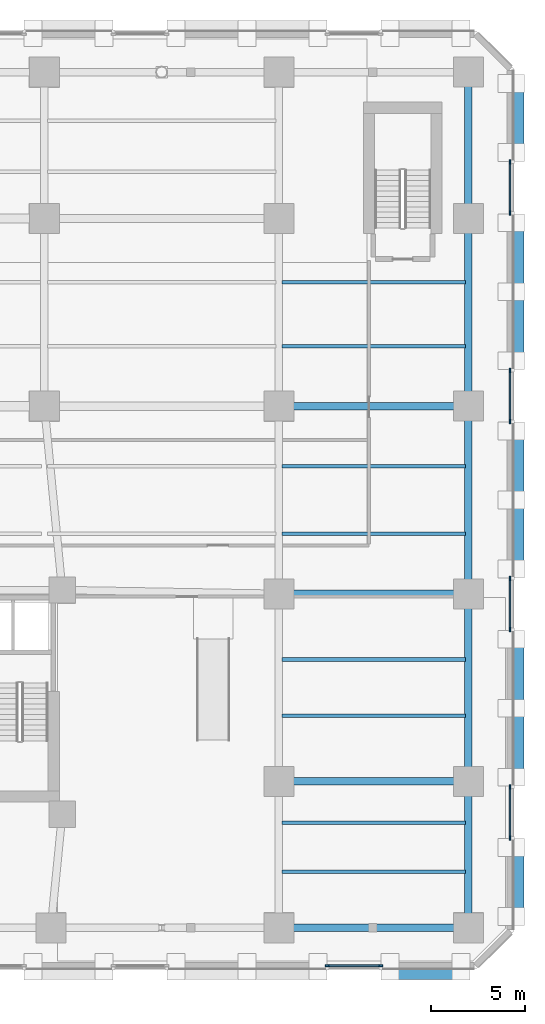
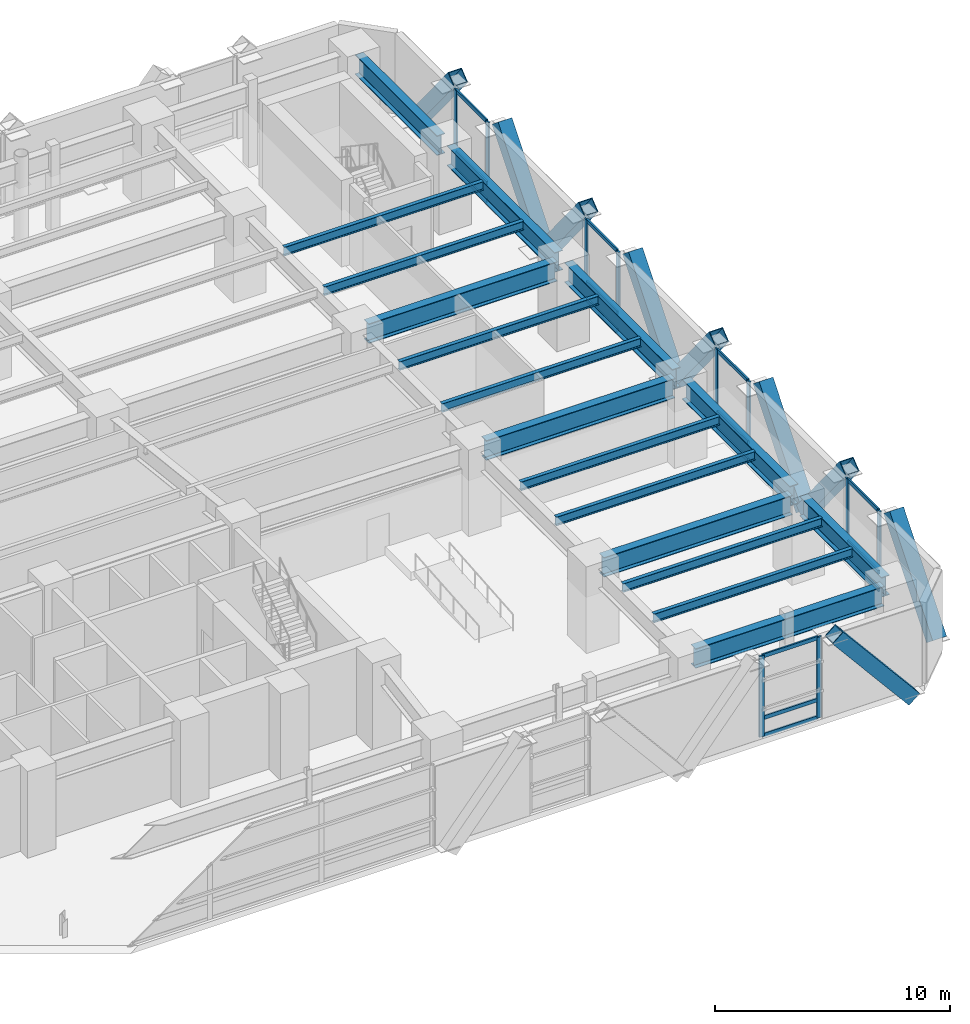
# One storey, part 10 of 26: 34 members, 17 beams, 5 elements without a shape of their own.
"""IFC4 building model written with IfcOpenShell, lengths in metres."""

import ifcopenshell
import ifcopenshell.guid

model = None  # the IFC model being written
_history = None  # IfcOwnerHistory: only IFC2X3 demands one
_inside = {}  # id of a spatial element -> (the spatial element, [elements in it])
_under = {}  # id of a project, library or spatial element -> (it, [spatial elements below it])
_declared = {}  # id of a project -> (the project, [libraries it declares])
_typed = {}  # id of a type object -> (the type object, [elements of that type])
_made_of = {}  # id of a material, layer set ... -> (it, [elements and type objects made of it])


def new_model(schema):
    """Start an empty IFC model of exactly this schema.

    Asked for "IFC4X3", IfcOpenShell would pick the latest addendum, in which some entities
    have other attributes; the version numbers below select the first issue.
    IFC2X3 requires an IfcOwnerHistory on every rooted entity: one is made here for all.
    """
    global model, _history
    if schema == "IFC4X3":
        model = ifcopenshell.file(schema_version=(4, 3, 0, 0))
    else:
        model = ifcopenshell.file(schema=schema)
    _inside.clear()
    _under.clear()
    _declared.clear()
    _typed.clear()
    _made_of.clear()
    _history = None
    if model.schema == "IFC2X3":
        org = make("IfcOrganization", Name="unknown")
        user = make(
            "IfcPersonAndOrganization",
            ThePerson=make("IfcPerson", FamilyName="unknown"),
            TheOrganization=org,
        )
        app = make(
            "IfcApplication",
            ApplicationDeveloper=org,
            Version="unknown",
            ApplicationFullName="unknown",
            ApplicationIdentifier="unknown",
        )
        _history = make(
            "IfcOwnerHistory",
            OwningUser=user,
            OwningApplication=app,
            ChangeAction="ADDED",
            CreationDate=0,
        )
    return model


def make(cls, **values):
    """One entity of the class cls with the attributes given. An attribute that is None is left unset."""
    return model.create_entity(
        cls, **{name: value for name, value in values.items() if value is not None}
    )


def rooted(cls, **values):
    """An entity with a GlobalId (a new one), such as an element, a storey or a relation."""
    return make(cls, GlobalId=ifcopenshell.guid.new(), OwnerHistory=_history, **values)


def si_unit(unit_type, name, prefix=None):
    """IfcSIUnit, for example si_unit("LENGTHUNIT", "METRE", prefix="MILLI")."""
    return make("IfcSIUnit", UnitType=unit_type, Prefix=prefix, Name=name)


def assignment(units):
    """IfcUnitAssignment: the units of a project."""
    return None if units is None else make("IfcUnitAssignment", Units=units)


def point(xyz):
    """IfcCartesianPoint."""
    return None if xyz is None else make("IfcCartesianPoint", Coordinates=xyz)


def direction(xyz):
    """IfcDirection."""
    return None if xyz is None else make("IfcDirection", DirectionRatios=xyz)


def frame(location, z_axis=None, x_axis=None):
    """IfcAxis2Placement3D, a coordinate frame: its origin and axes. An axis left out is left unset."""
    return make(
        "IfcAxis2Placement3D",
        Location=point(location),
        Axis=direction(z_axis),
        RefDirection=direction(x_axis),
    )


def frame_2d(location, x_axis=None):
    """IfcAxis2Placement2D, a coordinate frame in the plane: its origin and x axis."""
    return make(
        "IfcAxis2Placement2D", Location=point(location), RefDirection=direction(x_axis)
    )


def origin():
    """The frame at (0, 0, 0) with its axes left unset."""
    return frame((0.0, 0.0, 0.0))


def origin_2d():
    """The frame at (0, 0) in the plane with its x axis left unset."""
    return frame_2d((0.0, 0.0))


def place(relative_to, where):
    """IfcLocalPlacement: puts the frame where relative to a parent placement (None: the world)."""
    return make(
        "IfcLocalPlacement", PlacementRelTo=relative_to, RelativePlacement=where
    )


def context(
    kind, dimensions, precision=None, world=None, true_north=None, identifier=None
):
    """IfcGeometricRepresentationContext, for example the 3D "Model" context."""
    return make(
        "IfcGeometricRepresentationContext",
        ContextIdentifier=identifier,
        ContextType=kind,
        CoordinateSpaceDimension=dimensions,
        Precision=precision,
        WorldCoordinateSystem=world,
        TrueNorth=true_north,
    )


def subcontext(parent, identifier, kind, view, scale=None):
    """IfcGeometricRepresentationSubContext, for example "Body" below "Model"."""
    return make(
        "IfcGeometricRepresentationSubContext",
        ContextIdentifier=identifier,
        ContextType=kind,
        ParentContext=parent,
        TargetScale=scale,
        TargetView=view,
    )


def project(units=None, contexts=None):
    """IfcProject with its units and contexts."""
    return rooted(
        "IfcProject",
        Name="project",
        RepresentationContexts=contexts,
        UnitsInContext=assignment(units),
    )


def spatial(cls, under=None, at=None, **own):
    """A site, building, storey or space (cls), placed at a placement, below another one or the project."""
    s = rooted(cls, ObjectPlacement=at, **own)
    if under is not None:
        _under.setdefault(under.id(), (under, []))[1].append(s)
    return s


def profile(cls, at=None, kind="AREA", **sizes):
    """A parametric profile (cls). Its sizes go by their IFC names, for example OverallWidth=200.0."""
    return make(cls, ProfileType=kind, Position=at, **sizes)


def rectangle(**sizes):
    """IfcRectangleProfileDef."""
    return profile("IfcRectangleProfileDef", **sizes)


def hollow_rectangle(**sizes):
    """IfcRectangleHollowProfileDef."""
    return profile("IfcRectangleHollowProfileDef", **sizes)


def i_section(**sizes):
    """IfcIShapeProfileDef."""
    return profile("IfcIShapeProfileDef", **sizes)


def extrude(swept, where, along, depth):
    """IfcExtrudedAreaSolid: the profile swept, set in the frame where, extruded along a direction by depth."""
    return make(
        "IfcExtrudedAreaSolid",
        SweptArea=swept,
        Position=where,
        ExtrudedDirection=direction(along),
        Depth=depth,
    )


def shape(context_of_items, identifier, shape_type, items):
    """IfcShapeRepresentation: the items that make up one representation, for example the "Body"."""
    return make(
        "IfcShapeRepresentation",
        ContextOfItems=context_of_items,
        RepresentationIdentifier=identifier,
        RepresentationType=shape_type,
        Items=items,
    )


def material(Name=None, Category=None):
    """IfcMaterial."""
    return make("IfcMaterial", Name=Name, Category=Category)


def material_profile(
    of_material, cross_section, Name=None, Category=None, Priority=None
):
    """IfcMaterialProfile: a cross section and its material."""
    return make(
        "IfcMaterialProfile",
        Name=Name,
        Material=of_material,
        Profile=cross_section,
        Priority=Priority,
        Category=Category,
    )


def profile_set(profiles, Name=None, composite=None):
    """IfcMaterialProfileSet."""
    return make(
        "IfcMaterialProfileSet",
        Name=Name,
        MaterialProfiles=profiles,
        CompositeProfile=composite,
    )


def made_of(thing, what):
    """Note that an element or type object is made of a material, layer set ...; save() writes the relation."""
    if what is not None:
        _made_of.setdefault(what.id(), (what, []))[1].append(thing)
    return thing


def type_object(cls, material=None, **own):
    """A type object (cls), such as IfcWallType, which elements share."""
    return made_of(rooted(cls, **own), material)


def element(
    cls,
    number,
    at=None,
    inside=None,
    cuts=None,
    type_object=None,
    material=None,
    context=None,
    identifier="Body",
    shape_type=None,
    held_by="IfcProductDefinitionShape",
    body=None,
    shapes=None,
    **own,
):
    """One element of the class cls, such as IfcWall. Its Tag is "e" and its number.

    at: its placement. inside: the storey or other place that contains it. cuts: it is an
    opening in that element (IfcRelVoidsElement). A single representation is given by context,
    identifier, shape_type and body (its items); several are given by shapes. held_by: the class
    of the entity that holds the representations. save() writes the other relations.
    """
    e = rooted(cls, Tag="e%d" % number, ObjectPlacement=at, **own)
    if body is not None:
        shapes = [shape(context, identifier, shape_type, body)]
    if shapes is not None:
        e.Representation = make(held_by, Representations=shapes)
    if inside is not None:
        _inside.setdefault(inside.id(), (inside, []))[1].append(e)
    if cuts is not None:
        rooted(
            "IfcRelVoidsElement", RelatingBuildingElement=cuts, RelatedOpeningElement=e
        )
    if type_object is not None:
        _typed.setdefault(type_object.id(), (type_object, []))[1].append(e)
    return made_of(e, material)


def aggregate(whole, parts):
    """IfcRelAggregates: a whole, such as a stair, and the parts it consists of."""
    return rooted("IfcRelAggregates", RelatingObject=whole, RelatedObjects=parts)


def save(model, path):
    """Write the relations noted so far, then the file.

    IfcRelAggregates (storeys below a building ...), IfcRelContainedInSpatialStructure (elements
    in a storey), IfcRelDefinesByType, IfcRelAssociatesMaterial and IfcRelDeclares: one each for
    every whole, place, type object, material and project.
    """
    for whole, parts in _under.values():
        aggregate(whole, parts)
    for where, things in _inside.values():
        rooted(
            "IfcRelContainedInSpatialStructure",
            RelatedElements=things,
            RelatingStructure=where,
        )
    for kind, things in _typed.values():
        rooted("IfcRelDefinesByType", RelatedObjects=things, RelatingType=kind)
    for what, things in _made_of.values():
        rooted("IfcRelAssociatesMaterial", RelatedObjects=things, RelatingMaterial=what)
    for by, libraries in _declared.values():
        rooted("IfcRelDeclares", RelatingContext=by, RelatedDefinitions=libraries)
    model.write(path)


model = new_model("IFC4")

# Units and contexts
model_context = context("Model", 3, precision=1e-05, world=origin(), true_north=direction((0.0, 1.0)))
body_context = subcontext(model_context, "Body", "Model", "MODEL_VIEW")
ifc_project = project(units=[si_unit("LENGTHUNIT", "METRE"), si_unit("AREAUNIT", "SQUARE_METRE"), si_unit("VOLUMEUNIT", "CUBIC_METRE"), si_unit("PLANEANGLEUNIT", "RADIAN"), si_unit("MASSUNIT", "GRAM", prefix="KILO")], contexts=[model_context])

# Site, building, storey
site_placement = place(None, origin())
site = spatial("IfcSite", under=ifc_project, at=site_placement, CompositionType="ELEMENT")
building_placement = place(site_placement, origin())
building = spatial("IfcBuilding", under=site, at=building_placement, Name="Quenlor Broadcast Tower", CompositionType="ELEMENT")
storey_placement = place(building_placement, frame((0.0, 0.0, 5.0)))
storey = spatial("IfcBuildingStorey", under=building, at=storey_placement, Name="L01", CompositionType="ELEMENT", Elevation=5.0)

# Curtain wall, members
ifc_material_1 = material(Name="Architectural Terracotta and Low-E Glazing", Category="masonry")
curtain_wall_type = type_object("IfcCurtainWallType", Name="Station Concourse and Crown Terracotta Curtain Wall", PredefinedType="NOTDEFINED", material=ifc_material_1)
curtain_wall_1_placement = place(storey_placement, origin())
curtain_wall_1 = element("IfcCurtainWall", 1, at=curtain_wall_1_placement, inside=storey, type_object=curtain_wall_type, Name="L01 Curtain Wall CW6 (L01-S-FULL-G1)", PredefinedType="NOTDEFINED")
ifc_material_2 = material(Name="Aluminium 6063-T6", Category="aluminium")
ifc_material_profile_1 = material_profile(ifc_material_2, rectangle(XDim=0.08203125, YDim=0.239990234375, at=origin_2d()))
ifc_profile_set_1 = profile_set([ifc_material_profile_1], Name="Aluminium 6063-T6 MULL82x240")
member_type_1 = type_object("IfcMemberType", Name="CW6 Aluminium Mullion MULL_CW6", PredefinedType="MULLION", material=ifc_profile_set_1)
member_1_placement = place(storey_placement, frame((29.909423828125, -24.820068359375, 0.0), z_axis=(0.0, 0.0, 1.0), x_axis=(0.0, -1.0, 0.0)))
member_1 = element("IfcMember", 2, at=member_1_placement, type_object=member_type_1, Name="CW6 mullion 1", PredefinedType="MULLION", context=body_context, shape_type="SweptSolid", body=[
    extrude(rectangle(XDim=0.08203125, YDim=0.239990234375, at=origin_2d()), origin(), (0.0, 0.0, 1.0), 4.199951171875),
])
member_2_placement = place(storey_placement, frame((27.090576171875, -24.820068359375, 0.0), z_axis=(0.0, 0.0, 1.0), x_axis=(0.0, -1.0, 0.0)))
member_2 = element("IfcMember", 3, at=member_2_placement, type_object=member_type_1, Name="CW6 mullion 2", PredefinedType="MULLION", context=body_context, shape_type="SweptSolid", body=[
    extrude(rectangle(XDim=0.08203125, YDim=0.239990234375, at=origin_2d()), origin(), (0.0, 0.0, 1.0), 4.199951171875),
])

curtain_wall_2_placement = place(storey_placement, origin())
curtain_wall_2 = element("IfcCurtainWall", 4, at=curtain_wall_2_placement, inside=storey, type_object=curtain_wall_type, Name="L01 Curtain Wall CW6 (L01-E-FULL-G1)", PredefinedType="NOTDEFINED")
member_3_placement = place(storey_placement, frame((36.820068359375, 18.00634765625, 0.0), z_axis=(0.0, 0.0, 1.0), x_axis=(1.0, 0.0, 0.0)))
member_3 = element("IfcMember", 5, at=member_3_placement, type_object=member_type_1, Name="CW6 mullion 1", PredefinedType="MULLION", context=body_context, shape_type="SweptSolid", body=[
    extrude(rectangle(XDim=0.08203125, YDim=0.239990234375, at=origin_2d()), origin(), (0.0, 0.0, 1.0), 4.199951171875),
])
member_4_placement = place(storey_placement, frame((36.820068359375, 15.293701171875, 0.0), z_axis=(0.0, 0.0, 1.0), x_axis=(1.0, 0.0, 0.0)))
member_4 = element("IfcMember", 6, at=member_4_placement, type_object=member_type_1, Name="CW6 mullion 2", PredefinedType="MULLION", context=body_context, shape_type="SweptSolid", body=[
    extrude(rectangle(XDim=0.08203125, YDim=0.239990234375, at=origin_2d()), origin(), (0.0, 0.0, 1.0), 4.199951171875),
])

curtain_wall_3_placement = place(storey_placement, origin())
curtain_wall_3 = element("IfcCurtainWall", 7, at=curtain_wall_3_placement, inside=storey, type_object=curtain_wall_type, Name="L01 Curtain Wall CW6 (L01-E-FULL-G2)", PredefinedType="NOTDEFINED")
member_5_placement = place(storey_placement, frame((36.820068359375, 6.90625, 0.0), z_axis=(0.0, 0.0, 1.0), x_axis=(1.0, 0.0, 0.0)))
member_5 = element("IfcMember", 8, at=member_5_placement, type_object=member_type_1, Name="CW6 mullion 1", PredefinedType="MULLION", context=body_context, shape_type="SweptSolid", body=[
    extrude(rectangle(XDim=0.08203125, YDim=0.239990234375, at=origin_2d()), origin(), (0.0, 0.0, 1.0), 4.199951171875),
])
member_6_placement = place(storey_placement, frame((36.820068359375, 4.193603515625, 0.0), z_axis=(0.0, 0.0, 1.0), x_axis=(1.0, 0.0, 0.0)))
member_6 = element("IfcMember", 9, at=member_6_placement, type_object=member_type_1, Name="CW6 mullion 2", PredefinedType="MULLION", context=body_context, shape_type="SweptSolid", body=[
    extrude(rectangle(XDim=0.08203125, YDim=0.239990234375, at=origin_2d()), origin(), (0.0, 0.0, 1.0), 4.199951171875),
])

curtain_wall_4_placement = place(storey_placement, origin())
curtain_wall_4 = element("IfcCurtainWall", 10, at=curtain_wall_4_placement, inside=storey, type_object=curtain_wall_type, Name="L01 Curtain Wall CW6 (L01-E-FULL-G3)", PredefinedType="NOTDEFINED")
member_7_placement = place(storey_placement, frame((36.820068359375, -4.193603515625, 0.0), z_axis=(0.0, 0.0, 1.0), x_axis=(1.0, 0.0, 0.0)))
member_7 = element("IfcMember", 11, at=member_7_placement, type_object=member_type_1, Name="CW6 mullion 1", PredefinedType="MULLION", context=body_context, shape_type="SweptSolid", body=[
    extrude(rectangle(XDim=0.08203125, YDim=0.239990234375, at=origin_2d()), origin(), (0.0, 0.0, 1.0), 4.199951171875),
])
member_8_placement = place(storey_placement, frame((36.820068359375, -6.90625, 0.0), z_axis=(0.0, 0.0, 1.0), x_axis=(1.0, 0.0, 0.0)))
member_8 = element("IfcMember", 12, at=member_8_placement, type_object=member_type_1, Name="CW6 mullion 2", PredefinedType="MULLION", context=body_context, shape_type="SweptSolid", body=[
    extrude(rectangle(XDim=0.08203125, YDim=0.239990234375, at=origin_2d()), origin(), (0.0, 0.0, 1.0), 4.199951171875),
])

curtain_wall_5_placement = place(storey_placement, origin())
curtain_wall_5 = element("IfcCurtainWall", 13, at=curtain_wall_5_placement, inside=storey, type_object=curtain_wall_type, Name="L01 Curtain Wall CW6 (L01-E-FULL-G4)", PredefinedType="NOTDEFINED")
member_9_placement = place(storey_placement, frame((36.820068359375, -15.293701171875, 0.0), z_axis=(0.0, 0.0, 1.0), x_axis=(1.0, 0.0, 0.0)))
member_9 = element("IfcMember", 14, at=member_9_placement, type_object=member_type_1, Name="CW6 mullion 1", PredefinedType="MULLION", context=body_context, shape_type="SweptSolid", body=[
    extrude(rectangle(XDim=0.08203125, YDim=0.239990234375, at=origin_2d()), origin(), (0.0, 0.0, 1.0), 4.199951171875),
])
member_10_placement = place(storey_placement, frame((36.820068359375, -18.00634765625, 0.0), z_axis=(0.0, 0.0, 1.0), x_axis=(1.0, 0.0, 0.0)))
member_10 = element("IfcMember", 15, at=member_10_placement, type_object=member_type_1, Name="CW6 mullion 2", PredefinedType="MULLION", context=body_context, shape_type="SweptSolid", body=[
    extrude(rectangle(XDim=0.08203125, YDim=0.239990234375, at=origin_2d()), origin(), (0.0, 0.0, 1.0), 4.199951171875),
])

# Member
ifc_material_3 = material(Name="Aluminium 6063-T6", Category="aluminium")
ifc_material_profile_2 = material_profile(ifc_material_3, rectangle(XDim=0.08203125, YDim=0.195068359375, at=origin_2d()))
ifc_profile_set_2 = profile_set([ifc_material_profile_2], Name="Aluminium 6063-T6 TRAN82x195")
member_type_2 = type_object("IfcMemberType", Name="CW6 Aluminium Transom TRAN_CW6", PredefinedType="USERDEFINED", material=ifc_profile_set_2)
member_11_placement = place(storey_placement, frame((29.868408203125, -24.820068359375, 0.041015625), z_axis=(-1.0, 0.0, 0.0), x_axis=(0.0, -1.0, 0.0)))
member_11 = element("IfcMember", 16, at=member_11_placement, type_object=member_type_2, Name="CW6 transom 1.1", ObjectType="TRANSOM", PredefinedType="USERDEFINED", context=body_context, shape_type="SweptSolid", body=[
    extrude(rectangle(XDim=0.08203125, YDim=0.195068359375, at=origin_2d()), origin(), (0.0, 0.0, 1.0), 2.73681640625),
])

member_12_placement = place(storey_placement, frame((29.868408203125, -24.820068359375, 0.949951171875), z_axis=(-1.0, 0.0, 0.0), x_axis=(0.0, -1.0, 0.0)))
member_12 = element("IfcMember", 17, at=member_12_placement, type_object=member_type_2, Name="CW6 transom 1.2", ObjectType="TRANSOM", PredefinedType="USERDEFINED", context=body_context, shape_type="SweptSolid", body=[
    extrude(rectangle(XDim=0.08203125, YDim=0.195068359375, at=origin_2d()), origin(), (0.0, 0.0, 1.0), 2.73681640625),
])

member_13_placement = place(storey_placement, frame((29.868408203125, -24.820068359375, 4.158935546875), z_axis=(-1.0, 0.0, 0.0), x_axis=(0.0, -1.0, 0.0)))
member_13 = element("IfcMember", 18, at=member_13_placement, type_object=member_type_2, Name="CW6 transom 1.3", ObjectType="TRANSOM", PredefinedType="USERDEFINED", context=body_context, shape_type="SweptSolid", body=[
    extrude(rectangle(XDim=0.08203125, YDim=0.195068359375, at=origin_2d()), origin(), (0.0, 0.0, 1.0), 2.73681640625),
])

aggregate(curtain_wall_1, [member_1, member_2, member_11, member_12, member_13])

member_14_placement = place(storey_placement, frame((36.820068359375, 17.96533203125, 0.041015625), z_axis=(0.0, -1.0, 0.0), x_axis=(1.0, 0.0, 0.0)))
member_14 = element("IfcMember", 19, at=member_14_placement, type_object=member_type_2, Name="CW6 transom 1.1", ObjectType="TRANSOM", PredefinedType="USERDEFINED", context=body_context, shape_type="SweptSolid", body=[
    extrude(rectangle(XDim=0.08203125, YDim=0.195068359375, at=origin_2d()), origin(), (0.0, 0.0, 1.0), 2.630615234375),
])

member_15_placement = place(storey_placement, frame((36.820068359375, 17.96533203125, 0.949951171875), z_axis=(0.0, -1.0, 0.0), x_axis=(1.0, 0.0, 0.0)))
member_15 = element("IfcMember", 20, at=member_15_placement, type_object=member_type_2, Name="CW6 transom 1.2", ObjectType="TRANSOM", PredefinedType="USERDEFINED", context=body_context, shape_type="SweptSolid", body=[
    extrude(rectangle(XDim=0.08203125, YDim=0.195068359375, at=origin_2d()), origin(), (0.0, 0.0, 1.0), 2.630615234375),
])

member_16_placement = place(storey_placement, frame((36.820068359375, 17.96533203125, 4.158935546875), z_axis=(0.0, -1.0, 0.0), x_axis=(1.0, 0.0, 0.0)))
member_16 = element("IfcMember", 21, at=member_16_placement, type_object=member_type_2, Name="CW6 transom 1.3", ObjectType="TRANSOM", PredefinedType="USERDEFINED", context=body_context, shape_type="SweptSolid", body=[
    extrude(rectangle(XDim=0.08203125, YDim=0.195068359375, at=origin_2d()), origin(), (0.0, 0.0, 1.0), 2.630615234375),
])

aggregate(curtain_wall_2, [member_3, member_4, member_14, member_15, member_16])

member_17_placement = place(storey_placement, frame((36.820068359375, 6.865234375, 0.041015625), z_axis=(0.0, -1.0, 0.0), x_axis=(1.0, 0.0, 0.0)))
member_17 = element("IfcMember", 22, at=member_17_placement, type_object=member_type_2, Name="CW6 transom 1.1", ObjectType="TRANSOM", PredefinedType="USERDEFINED", context=body_context, shape_type="SweptSolid", body=[
    extrude(rectangle(XDim=0.08203125, YDim=0.195068359375, at=origin_2d()), origin(), (0.0, 0.0, 1.0), 2.630615234375),
])

member_18_placement = place(storey_placement, frame((36.820068359375, 6.865234375, 0.949951171875), z_axis=(0.0, -1.0, 0.0), x_axis=(1.0, 0.0, 0.0)))
member_18 = element("IfcMember", 23, at=member_18_placement, type_object=member_type_2, Name="CW6 transom 1.2", ObjectType="TRANSOM", PredefinedType="USERDEFINED", context=body_context, shape_type="SweptSolid", body=[
    extrude(rectangle(XDim=0.08203125, YDim=0.195068359375, at=origin_2d()), origin(), (0.0, 0.0, 1.0), 2.630615234375),
])

member_19_placement = place(storey_placement, frame((36.820068359375, 6.865234375, 4.158935546875), z_axis=(0.0, -1.0, 0.0), x_axis=(1.0, 0.0, 0.0)))
member_19 = element("IfcMember", 24, at=member_19_placement, type_object=member_type_2, Name="CW6 transom 1.3", ObjectType="TRANSOM", PredefinedType="USERDEFINED", context=body_context, shape_type="SweptSolid", body=[
    extrude(rectangle(XDim=0.08203125, YDim=0.195068359375, at=origin_2d()), origin(), (0.0, 0.0, 1.0), 2.630615234375),
])

aggregate(curtain_wall_3, [member_5, member_6, member_17, member_18, member_19])

member_20_placement = place(storey_placement, frame((36.820068359375, -4.234619140625, 0.041015625), z_axis=(0.0, -1.0, 0.0), x_axis=(1.0, 0.0, 0.0)))
member_20 = element("IfcMember", 25, at=member_20_placement, type_object=member_type_2, Name="CW6 transom 1.1", ObjectType="TRANSOM", PredefinedType="USERDEFINED", context=body_context, shape_type="SweptSolid", body=[
    extrude(rectangle(XDim=0.08203125, YDim=0.195068359375, at=origin_2d()), origin(), (0.0, 0.0, 1.0), 2.630615234375),
])

member_21_placement = place(storey_placement, frame((36.820068359375, -4.234619140625, 0.949951171875), z_axis=(0.0, -1.0, 0.0), x_axis=(1.0, 0.0, 0.0)))
member_21 = element("IfcMember", 26, at=member_21_placement, type_object=member_type_2, Name="CW6 transom 1.2", ObjectType="TRANSOM", PredefinedType="USERDEFINED", context=body_context, shape_type="SweptSolid", body=[
    extrude(rectangle(XDim=0.08203125, YDim=0.195068359375, at=origin_2d()), origin(), (0.0, 0.0, 1.0), 2.630615234375),
])

member_22_placement = place(storey_placement, frame((36.820068359375, -4.234619140625, 4.158935546875), z_axis=(0.0, -1.0, 0.0), x_axis=(1.0, 0.0, 0.0)))
member_22 = element("IfcMember", 27, at=member_22_placement, type_object=member_type_2, Name="CW6 transom 1.3", ObjectType="TRANSOM", PredefinedType="USERDEFINED", context=body_context, shape_type="SweptSolid", body=[
    extrude(rectangle(XDim=0.08203125, YDim=0.195068359375, at=origin_2d()), origin(), (0.0, 0.0, 1.0), 2.630615234375),
])

aggregate(curtain_wall_4, [member_7, member_8, member_20, member_21, member_22])

member_23_placement = place(storey_placement, frame((36.820068359375, -15.334716796875, 0.041015625), z_axis=(0.0, -1.0, 0.0), x_axis=(1.0, 0.0, 0.0)))
member_23 = element("IfcMember", 28, at=member_23_placement, type_object=member_type_2, Name="CW6 transom 1.1", ObjectType="TRANSOM", PredefinedType="USERDEFINED", context=body_context, shape_type="SweptSolid", body=[
    extrude(rectangle(XDim=0.08203125, YDim=0.195068359375, at=origin_2d()), origin(), (0.0, 0.0, 1.0), 2.630615234375),
])

member_24_placement = place(storey_placement, frame((36.820068359375, -15.334716796875, 0.949951171875), z_axis=(0.0, -1.0, 0.0), x_axis=(1.0, 0.0, 0.0)))
member_24 = element("IfcMember", 29, at=member_24_placement, type_object=member_type_2, Name="CW6 transom 1.2", ObjectType="TRANSOM", PredefinedType="USERDEFINED", context=body_context, shape_type="SweptSolid", body=[
    extrude(rectangle(XDim=0.08203125, YDim=0.195068359375, at=origin_2d()), origin(), (0.0, 0.0, 1.0), 2.630615234375),
])

member_25_placement = place(storey_placement, frame((36.820068359375, -15.334716796875, 4.158935546875), z_axis=(0.0, -1.0, 0.0), x_axis=(1.0, 0.0, 0.0)))
member_25 = element("IfcMember", 30, at=member_25_placement, type_object=member_type_2, Name="CW6 transom 1.3", ObjectType="TRANSOM", PredefinedType="USERDEFINED", context=body_context, shape_type="SweptSolid", body=[
    extrude(rectangle(XDim=0.08203125, YDim=0.195068359375, at=origin_2d()), origin(), (0.0, 0.0, 1.0), 2.630615234375),
])

aggregate(curtain_wall_5, [member_9, member_10, member_23, member_24, member_25])

# Members
ifc_material_4 = material(Name="Steel S355", Category="steel")
ifc_material_profile_3 = material_profile(ifc_material_4, hollow_rectangle(XDim=0.679931640625, YDim=0.679931640625, WallThickness=0.034912109375, at=origin_2d()))
ifc_profile_set_3 = profile_set([ifc_material_profile_3], Name="Steel S355 RHS680x680x35")
member_type_3 = type_object("IfcMemberType", Name="Perimeter Diagonal Lattice Brace Z1 Steel S355 RHS680x35", PredefinedType="BRACE", material=ifc_profile_set_3)
member_26_placement = place(storey_placement, frame((34.17724609375, -25.215087890625, -0.1201171875), z_axis=(-0.640626831312, 0.0, 0.767852370578), x_axis=(0.0, -1.0, 0.0)))
element("IfcMember", 31, at=member_26_placement, inside=storey, type_object=member_type_3, Name="L01 Podium Diamond Lattice S-P1S", PredefinedType="BRACE", context=body_context, shape_type="SweptSolid", body=[
    extrude(hollow_rectangle(XDim=0.679931640625, YDim=0.679931640625, WallThickness=0.034912109375, at=origin_2d()), origin(), (0.0, 0.0, 1.0), 5.860595703125),
])
for number, where, z_axis, x_axis, name in (
    (32, (37.215087890625, 22.177734375, -0.1201171875), (0.0, -0.630516526394, 0.776175824117), (1.0, 0.0, 0.0), "L01 Podium Diamond Lattice E-P1S"),
    (33, (37.215087890625, 11.122314453125, -0.1201171875), (0.0, 0.630516526394, 0.776175824117), (-1.0, 0.0, 0.0), "L01 Podium Diamond Lattice E-P1B"),
):
    element("IfcMember", number, at=place(storey_placement, frame(where, z_axis=z_axis, x_axis=x_axis)), inside=storey, type_object=member_type_3, Name=name, PredefinedType="BRACE", context=body_context, shape_type="SweptSolid", body=[
        extrude(hollow_rectangle(XDim=0.679931640625, YDim=0.679931640625, WallThickness=0.034912109375, at=origin_2d()), origin(), (0.0, 0.0, 1.0), 5.797607421875),
    ])
member_27_placement = place(storey_placement, frame((37.215087890625, 11.077880859375, -0.1201171875), z_axis=(0.0, -0.630541894648, 0.776155215851), x_axis=(1.0, 0.0, 0.0)))
element("IfcMember", 34, at=member_27_placement, inside=storey, type_object=member_type_3, Name="L01 Podium Diamond Lattice E-P2S", PredefinedType="BRACE", context=body_context, shape_type="SweptSolid", body=[
    extrude(hollow_rectangle(XDim=0.679931640625, YDim=0.679931640625, WallThickness=0.034912109375, at=origin_2d()), origin(), (0.0, 0.0, 1.0), 5.7978515625),
])
for number, where, z_axis, x_axis, name in (
    (35, (37.215087890625, 0.022216796875, -0.1201171875), (0.0, 0.630516526394, 0.776175824117), (-1.0, 0.0, 0.0), "L01 Podium Diamond Lattice E-P2B"),
    (36, (37.215087890625, -0.022216796875, -0.1201171875), (0.0, -0.630516526394, 0.776175824117), (1.0, 0.0, 0.0), "L01 Podium Diamond Lattice E-P3S"),
):
    element("IfcMember", number, at=place(storey_placement, frame(where, z_axis=z_axis, x_axis=x_axis)), inside=storey, type_object=member_type_3, Name=name, PredefinedType="BRACE", context=body_context, shape_type="SweptSolid", body=[
        extrude(hollow_rectangle(XDim=0.679931640625, YDim=0.679931640625, WallThickness=0.034912109375, at=origin_2d()), origin(), (0.0, 0.0, 1.0), 5.797607421875),
    ])
member_28_placement = place(storey_placement, frame((37.215087890625, -11.077880859375, -0.1201171875), z_axis=(0.0, 0.630541894648, 0.776155215851), x_axis=(-1.0, 0.0, 0.0)))
element("IfcMember", 37, at=member_28_placement, inside=storey, type_object=member_type_3, Name="L01 Podium Diamond Lattice E-P3B", PredefinedType="BRACE", context=body_context, shape_type="SweptSolid", body=[
    extrude(hollow_rectangle(XDim=0.679931640625, YDim=0.679931640625, WallThickness=0.034912109375, at=origin_2d()), origin(), (0.0, 0.0, 1.0), 5.7978515625),
])
for number, where, z_axis, x_axis, name in (
    (38, (37.215087890625, -11.122314453125, -0.1201171875), (0.0, -0.630516526394, 0.776175824117), (1.0, 0.0, 0.0), "L01 Podium Diamond Lattice E-P4S"),
    (39, (37.215087890625, -22.177734375, -0.1201171875), (0.0, 0.630516526394, 0.776175824117), (-1.0, 0.0, 0.0), "L01 Podium Diamond Lattice E-P4B"),
):
    element("IfcMember", number, at=place(storey_placement, frame(where, z_axis=z_axis, x_axis=x_axis)), inside=storey, type_object=member_type_3, Name=name, PredefinedType="BRACE", context=body_context, shape_type="SweptSolid", body=[
        extrude(hollow_rectangle(XDim=0.679931640625, YDim=0.679931640625, WallThickness=0.034912109375, at=origin_2d()), origin(), (0.0, 0.0, 1.0), 5.797607421875),
    ])

# Beams
ifc_material_5 = material(Name="Steel S355", Category="steel")
ifc_material_profile_4 = material_profile(ifc_material_5, i_section(OverallWidth=0.39990234375, OverallDepth=1.02392578125, WebThickness=0.01611328125, FlangeThickness=0.031982421875, FilletRadius=0.01611328125, at=origin_2d()))
ifc_profile_set_4 = profile_set([ifc_material_profile_4], Name="Steel S355 1000WB322")
beam_type_1 = type_object("IfcBeamType", Name="Podium Concourse Girder Steel S355 1000WB322", PredefinedType="BEAM", material=ifc_profile_set_4)
for number, where, z_axis, x_axis, name in (
    (40, (24.919921875, -22.800048828125, 3.68798828125), (1.0, 0.0, 0.0), (0.0, 1.0, 0.0), "L01 Podium Girder 9"),
    (41, (24.919921875, -15.0, 3.68798828125), (1.0, 0.0, 0.0), (0.0, 1.0, 0.0), "L01 Podium Girder 11"),
    (42, (24.919921875, -5.0, 3.68798828125), (1.0, 0.0, 0.0), (0.0, 1.0, 0.0), "L01 Podium Girder 13"),
    (43, (24.919921875, 5.0, 3.68798828125), (1.0, 0.0, 0.0), (0.0, 1.0, 0.0), "L01 Podium Girder 18"),
):
    element("IfcBeam", number, at=place(storey_placement, frame(where, z_axis=z_axis, x_axis=x_axis)), inside=storey, type_object=beam_type_1, Name=name, PredefinedType="BEAM", context=body_context, shape_type="SweptSolid", body=[
        extrude(i_section(OverallWidth=0.39990234375, OverallDepth=1.02392578125, WebThickness=0.01611328125, FlangeThickness=0.031982421875, FilletRadius=0.01611328125, at=origin_2d()), origin(), (0.0, 0.0, 1.0), 9.260009765625),
    ])
beam_1_placement = place(storey_placement, frame((34.60009765625, -22.3798828125, 3.68798828125), z_axis=(0.0, 1.0, 0.0), x_axis=(-1.0, 0.0, 0.0)))
element("IfcBeam", 44, at=beam_1_placement, inside=storey, type_object=beam_type_1, Name="L01 Podium Girder 49", PredefinedType="BEAM", context=body_context, shape_type="SweptSolid", body=[
    extrude(i_section(OverallWidth=0.39990234375, OverallDepth=1.02392578125, WebThickness=0.01611328125, FlangeThickness=0.031982421875, FilletRadius=0.01611328125, at=origin_2d()), origin(), (0.0, 0.0, 1.0), 6.9599609375),
])
for number, where, z_axis, x_axis, name in (
    (45, (34.60009765625, -14.580078125, 3.68798828125), (0.0, 1.0, 0.0), (-1.0, 0.0, 0.0), "L01 Podium Girder 50"),
    (46, (34.60009765625, -4.580078125, 3.68798828125), (0.0, 1.0, 0.0), (-1.0, 0.0, 0.0), "L01 Podium Girder 51"),
    (47, (34.60009765625, 5.419921875, 3.68798828125), (0.0, 1.0, 0.0), (-1.0, 0.0, 0.0), "L01 Podium Girder 52"),
):
    element("IfcBeam", number, at=place(storey_placement, frame(where, z_axis=z_axis, x_axis=x_axis)), inside=storey, type_object=beam_type_1, Name=name, PredefinedType="BEAM", context=body_context, shape_type="SweptSolid", body=[
        extrude(i_section(OverallWidth=0.39990234375, OverallDepth=1.02392578125, WebThickness=0.01611328125, FlangeThickness=0.031982421875, FilletRadius=0.01611328125, at=origin_2d()), origin(), (0.0, 0.0, 1.0), 9.16015625),
    ])
beam_2_placement = place(storey_placement, frame((34.60009765625, 15.419921875, 3.68798828125), z_axis=(0.0, 1.0, 0.0), x_axis=(-1.0, 0.0, 0.0)))
element("IfcBeam", 48, at=beam_2_placement, inside=storey, type_object=beam_type_1, Name="L01 Podium Girder 53", PredefinedType="BEAM", context=body_context, shape_type="SweptSolid", body=[
    extrude(i_section(OverallWidth=0.39990234375, OverallDepth=1.02392578125, WebThickness=0.01611328125, FlangeThickness=0.031982421875, FilletRadius=0.01611328125, at=origin_2d()), origin(), (0.0, 0.0, 1.0), 6.9599609375),
])
ifc_material_6 = material(Name="Steel S355", Category="steel")
ifc_material_profile_5 = material_profile(ifc_material_6, i_section(OverallWidth=0.18994140625, OverallDepth=0.453857421875, WebThickness=0.008544921875, FlangeThickness=0.0126953125, FilletRadius=0.011474609375, at=origin_2d()))
ifc_profile_set_5 = profile_set([ifc_material_profile_5], Name="Steel S355 460UB67.1")
beam_type_2 = type_object("IfcBeamType", Name="Podium Floor Joist Steel S355 460UB67.1", PredefinedType="JOIST", material=ifc_profile_set_5)
for number, where, z_axis, x_axis, name in (
    (49, (24.659912109375, 8.199951171875, 3.97314453125), (1.0, 0.0, 0.0), (0.0, 1.0, 0.0), "L01 Podium Floor Joist 5"),
    (50, (24.659912109375, 11.60009765625, 3.97314453125), (1.0, 0.0, 0.0), (0.0, 1.0, 0.0), "L01 Podium Floor Joist 10"),
    (51, (24.659912109375, -19.800048828125, 3.97314453125), (1.0, 0.0, 0.0), (0.0, 1.0, 0.0), "L01 Podium Floor Joist 22"),
    (52, (24.659912109375, -17.199951171875, 3.97314453125), (1.0, 0.0, 0.0), (0.0, 1.0, 0.0), "L01 Podium Floor Joist 24"),
    (53, (24.659912109375, -11.5, 3.97314453125), (1.0, 0.0, 0.0), (0.0, 1.0, 0.0), "L01 Podium Floor Joist 26"),
    (54, (24.659912109375, -8.5, 3.97314453125), (1.0, 0.0, 0.0), (0.0, 1.0, 0.0), "L01 Podium Floor Joist 28"),
    (55, (24.659912109375, -1.800048828125, 3.97314453125), (1.0, 0.0, 0.0), (0.0, 1.0, 0.0), "L01 Podium Floor Joist 30"),
    (56, (24.659912109375, 1.800048828125, 3.97314453125), (1.0, 0.0, 0.0), (0.0, 1.0, 0.0), "L01 Podium Floor Joist 32"),
):
    element("IfcBeam", number, at=place(storey_placement, frame(where, z_axis=z_axis, x_axis=x_axis)), inside=storey, type_object=beam_type_2, Name=name, PredefinedType="JOIST", context=body_context, shape_type="SweptSolid", body=[
        extrude(i_section(OverallWidth=0.18994140625, OverallDepth=0.453857421875, WebThickness=0.008544921875, FlangeThickness=0.0126953125, FilletRadius=0.011474609375, at=origin_2d()), origin(), (0.0, 0.0, 1.0), 9.780029296875),
    ])

save(model, "model.ifc")
